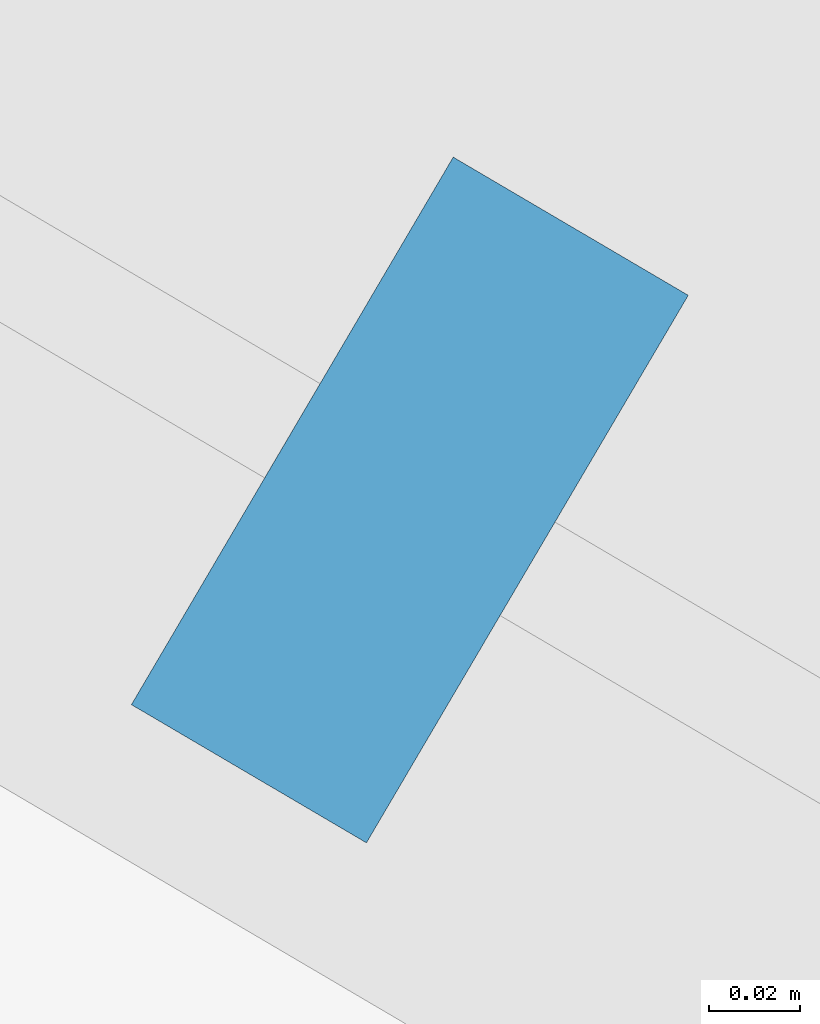
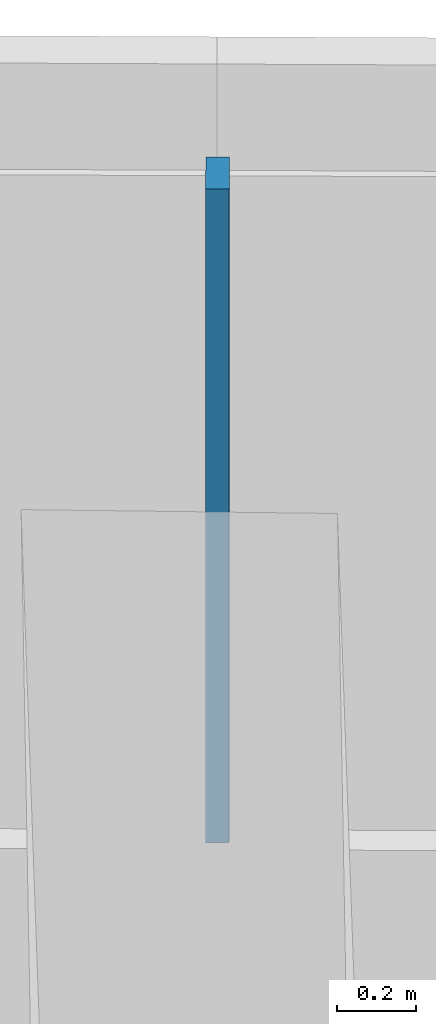
# One storey, part 14 of 26: 1 member, 1 element without a shape of its own.
"""IFC4 building model written with IfcOpenShell, lengths in metres."""

from ifc_helpers import new_model, si_unit, direction, frame, origin, origin_2d, place, context, subcontext, project, spatial, rectangle, extrude, material, layer, layer_set, material_profile, profile_set, type_object, element, aggregate, save


model = new_model("IFC4")

# Units and contexts
model_context = context("Model", 3, precision=1e-05, world=origin(), true_north=direction((0.0, 1.0)))
body_context = subcontext(model_context, "Body", "Model", "MODEL_VIEW")
ifc_project = project(units=[si_unit("LENGTHUNIT", "METRE"), si_unit("AREAUNIT", "SQUARE_METRE"), si_unit("VOLUMEUNIT", "CUBIC_METRE"), si_unit("PLANEANGLEUNIT", "RADIAN"), si_unit("MASSUNIT", "GRAM", prefix="KILO")], contexts=[model_context])

# Site, building, storey
site_placement = place(None, origin())
site = spatial("IfcSite", under=ifc_project, at=site_placement, CompositionType="ELEMENT")
building_placement = place(site_placement, origin())
building = spatial("IfcBuilding", under=site, at=building_placement, Name="Tamarind Cross Interchange Tower", CompositionType="ELEMENT")
storey_placement = place(building_placement, frame((0.0, 0.0, 248.699951171875)))
storey = spatial("IfcBuildingStorey", under=building, at=storey_placement, Name="L63", CompositionType="ELEMENT", Elevation=248.699951171875)

# Curtain wall, member
ifc_material = material(Name="Aluminium 6063-T6", Category="aluminium")
ifc_layer = layer(ifc_material, 0.139892578125)
ifc_layer_set = layer_set([ifc_layer], Name="Aluminium 6063-T6")
curtain_wall_type = type_object("IfcCurtainWallType", Name="Hotel curtain wall, 4.5 m bays", PredefinedType="NOTDEFINED", material=ifc_layer_set)
curtain_wall_placement = place(storey_placement, origin())
curtain_wall = element("IfcCurtainWall", 1, at=curtain_wall_placement, inside=storey, type_object=curtain_wall_type, Name="CWS-L63-02", PredefinedType="NOTDEFINED")
ifc_material_profile = material_profile(ifc_material, rectangle(XDim=0.06005859375, YDim=0.139892578125, at=origin_2d()), Name="Mullion CW2")
ifc_profile_set = profile_set([ifc_material_profile], Name="Aluminium 6063-T6")
member_type = type_object("IfcMemberType", Name="Mullion CW2", PredefinedType="MULLION", material=ifc_profile_set)
member_placement = place(storey_placement, frame((-3.71044921875, 32.068603515625, 1.400146484375), z_axis=(0.0, 0.0, 1.0), x_axis=(-0.862103583695, 0.506732089945, 0.0)))
member = element("IfcMember", 2, at=member_placement, type_object=member_type, Name="CWM-L63-02-02", PredefinedType="MULLION", context=body_context, shape_type="SweptSolid", body=[
    extrude(rectangle(XDim=0.06005859375, YDim=0.139892578125, at=origin_2d()), origin(), (0.0, 0.0, 1.0), 2.02001953125),
])
aggregate(curtain_wall, [member])

save(model, "model.ifc")
